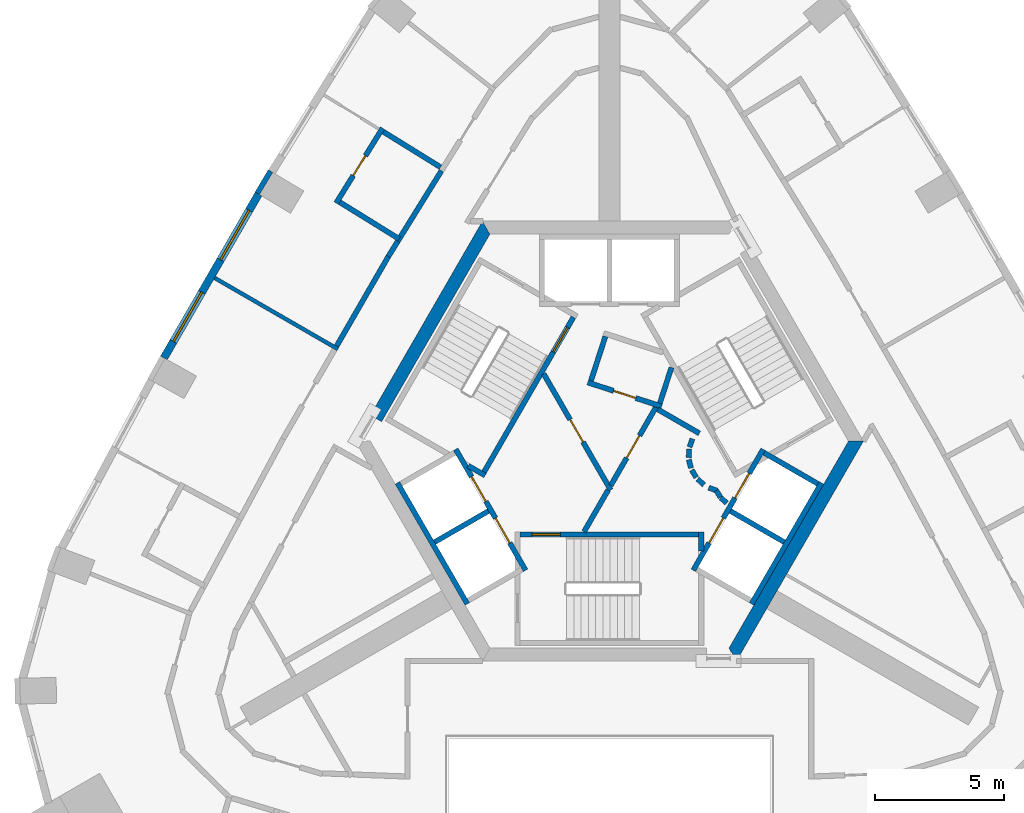
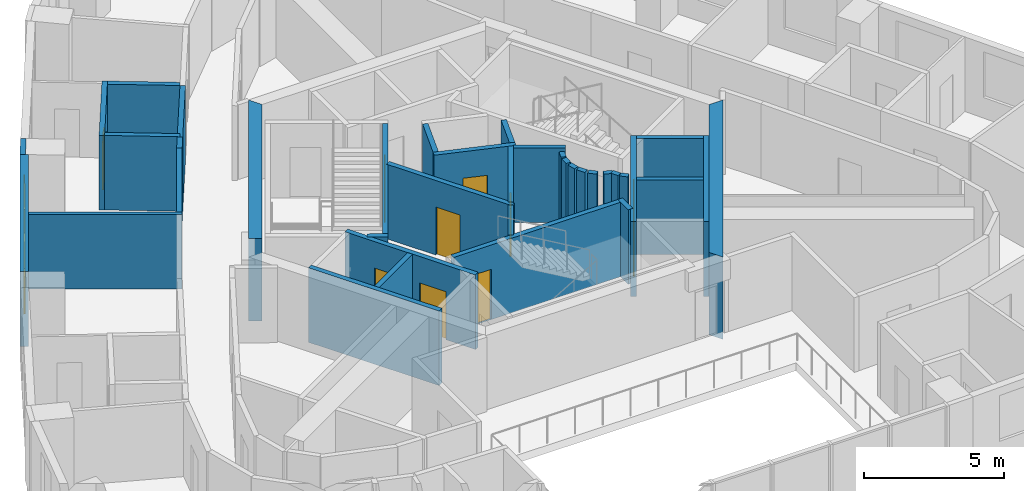
# One storey, part 5 of 10: 37 walls, 10 doors, 2 windows, 12 openings.
"""IFC4 building model written with IfcOpenShell, lengths in metres."""

from ifc_helpers import new_model, si_unit, direction, frame, frame_2d, origin, place, context, subcontext, project, spatial, polyline, rectangle, outline, extrude, material, layer, layer_set, type_object, element, fill, save


model = new_model("IFC4")

# Units and contexts
model_context = context("Model", 3, precision=1e-05, world=origin(), true_north=direction((0.0, 1.0)))
body_context = subcontext(model_context, "Body", "Model", "MODEL_VIEW")
ifc_project = project(units=[si_unit("LENGTHUNIT", "METRE"), si_unit("AREAUNIT", "SQUARE_METRE"), si_unit("VOLUMEUNIT", "CUBIC_METRE"), si_unit("PLANEANGLEUNIT", "RADIAN"), si_unit("MASSUNIT", "GRAM", prefix="KILO")], contexts=[model_context])

# Site, building, storey
site_placement = place(None, origin())
site = spatial("IfcSite", under=ifc_project, at=site_placement, CompositionType="ELEMENT")
building_placement = place(site_placement, origin())
building = spatial("IfcBuilding", under=site, at=building_placement, Name="Entoto Arch Interchange Tower", CompositionType="ELEMENT")
storey_placement = place(building_placement, frame((0.0, 0.0, 300.800048828125)))
storey = spatial("IfcBuildingStorey", under=building, at=storey_placement, Name="L70", CompositionType="ELEMENT", Elevation=300.800048828125)

# Walls
ifc_material_1 = material(Name="Concrete C40/50", Category="concrete")
ifc_layer_1 = layer(ifc_material_1, 0.5)
ifc_layer_set_1 = layer_set([ifc_layer_1], Name="Concrete C40/50")
wall_type_1 = type_object("IfcWallType", Name="Core wall 500 C40/50", PredefinedType="SHEAR", material=ifc_layer_set_1)
wall_1_placement = place(storey_placement, frame((0.0, 0.0, -0.340087890625)))
element("IfcWall", 1, at=wall_1_placement, inside=storey, type_object=wall_type_1, Name="Core wall NW L70", PredefinedType="SHEAR", context=body_context, shape_type="SweptSolid", body=[
    extrude(outline(polyline([(-9.236083984375, 3.501953125), (-8.802978515625, 3.2529296875), (-4.618896484375, 10.5), (-4.906982421875, 11.0), (-9.236083984375, 3.501953125)])), origin(), (0.0, 0.0, 1.0), 3.60009765625),
])
wall_2_placement = place(storey_placement, frame((0.0, 0.0, -0.340087890625)))
element("IfcWall", 2, at=wall_2_placement, inside=storey, type_object=wall_type_1, Name="Core wall SE L70", PredefinedType="SHEAR", context=body_context, shape_type="SweptSolid", body=[
    extrude(outline(polyline([(4.906982421875, -6.0), (9.81494140625, 2.5), (9.238037109375, 2.5), (4.618896484375, -5.5), (4.906982421875, -6.0)])), origin(), (0.0, 0.0, 1.0), 3.60009765625),
])

# Wall, openings, doors
ifc_layer_2 = layer(ifc_material_1, 0.199951171875)
ifc_layer_set_2 = layer_set([ifc_layer_2], Name="Concrete C40/50")
wall_type_2 = type_object("IfcWallType", Name="LIFT SHAFT WALL 200", PredefinedType="STANDARD", material=ifc_layer_set_2)
wall_3_placement = place(storey_placement, frame((-5.93994140625, 2.18798828125, 0.0), z_axis=(0.0, 0.0, 1.0), x_axis=(0.500034260056, -0.866005622828, 0.0)))
wall_3 = element("IfcWall", 3, at=wall_3_placement, inside=storey, type_object=wall_type_2, Name="Shaft wall SW1 front", PredefinedType="STANDARD", context=body_context, shape_type="SweptSolid", body=[
    extrude(rectangle(XDim=5.3994140625, YDim=0.199951171875, at=frame_2d((2.69970703125, 0.0))), origin(), (0.0, 0.0, 1.0), 3.260009765625),
])
opening_1_placement = place(wall_3_placement, frame((3.074951171875, 0.0, 0.0)))
opening_1 = element("IfcOpeningElement", 4, at=opening_1_placement, cuts=wall_3, Name="Opening LD-HR4-L70", PredefinedType="OPENING", context=body_context, shape_type="SweptSolid", body=[
    extrude(rectangle(XDim=1.10009765625, YDim=2.10009765625, at=frame_2d((0.550048828125, 1.050048828125))), frame((0.0, 0.10986328125, 0.0), z_axis=(0.0, -1.0, 0.0), x_axis=(1.0, 0.0, 0.0)), (0.0, 0.0, 1.0), 0.219970703125),
])
opening_2_placement = place(wall_3_placement, frame((1.22509765625, 0.0, 0.0)))
opening_2 = element("IfcOpeningElement", 5, at=opening_2_placement, cuts=wall_3, Name="Opening LD-FF2-L70", PredefinedType="OPENING", context=body_context, shape_type="SweptSolid", body=[
    extrude(rectangle(XDim=1.10009765625, YDim=2.10009765625, at=frame_2d((0.550048828125, 1.050048828125))), frame((0.0, 0.10986328125, 0.0), z_axis=(0.0, -1.0, 0.0), x_axis=(1.0, 0.0, 0.0)), (0.0, 0.0, 1.0), 0.219970703125),
])
ifc_material_2 = material(Name="Stainless steel 1.4301 panels", Category="steel")
door_type_1 = type_object("IfcDoorType", Name="LIFT LANDING DOOR LD1 1100x2100", OperationType="SLIDING_TO_LEFT", PredefinedType="DOOR", material=ifc_material_2)
door_1_placement = place(opening_1_placement, origin())
door_1 = element("IfcDoor", 6, at=door_1_placement, inside=storey, type_object=door_type_1, Name="Lift landing door HR4 L70", OperationType="SLIDING_TO_LEFT", OverallHeight=2.10009765625, OverallWidth=1.10009765625, PredefinedType="DOOR", context=body_context, shape_type="SweptSolid", body=[
    extrude(rectangle(XDim=1.10009765625, YDim=2.10009765625, at=frame_2d((0.550048828125, 1.050048828125))), frame((0.0, 0.02490234375, 0.0), z_axis=(0.0, -1.0, 0.0), x_axis=(1.0, 0.0, 0.0)), (0.0, 0.0, 1.0), 0.050048828125),
])
fill(opening_1, door_1)
door_2_placement = place(opening_2_placement, origin())
door_2 = element("IfcDoor", 7, at=door_2_placement, inside=storey, type_object=door_type_1, Name="Lift landing door FF2 L70", OperationType="SLIDING_TO_LEFT", OverallHeight=2.10009765625, OverallWidth=1.10009765625, PredefinedType="DOOR", context=body_context, shape_type="SweptSolid", body=[
    extrude(rectangle(XDim=1.10009765625, YDim=2.10009765625, at=frame_2d((0.550048828125, 1.050048828125))), frame((0.0, 0.02490234375, 0.0), z_axis=(0.0, -1.0, 0.0), x_axis=(1.0, 0.0, 0.0)), (0.0, 0.0, 1.0), 0.050048828125),
])
fill(opening_2, door_2)

# Walls
wall_4_placement = place(storey_placement, frame((-8.19189453125, 0.887939453125, 0.0), z_axis=(0.0, 0.0, 1.0), x_axis=(0.500034260056, -0.866005622828, 0.0)))
element("IfcWall", 8, at=wall_4_placement, inside=storey, type_object=wall_type_2, Name="Shaft wall SW1 back", PredefinedType="STANDARD", context=body_context, shape_type="SweptSolid", body=[
    extrude(rectangle(XDim=5.3994140625, YDim=0.199951171875, at=frame_2d((2.69970703125, 0.0))), origin(), (0.0, 0.0, 1.0), 3.260009765625),
])
wall_5_placement = place(storey_placement, frame((-4.677001953125, -0.199951171875, 0.0), z_axis=(0.0, 0.0, 1.0), x_axis=(-0.865973769406, -0.500089422704, 0.0)))
element("IfcWall", 9, at=wall_5_placement, inside=storey, type_object=wall_type_2, Name="Shaft wall SW1 cross 2", PredefinedType="STANDARD", context=body_context, shape_type="SweptSolid", body=[
    extrude(rectangle(XDim=2.3994140625, YDim=0.199951171875, at=frame_2d((1.19970703125, 0.0))), origin(), (0.0, 0.0, 1.0), 3.260009765625),
])

# Wall, openings, doors
wall_6_placement = place(storey_placement, frame((3.239990234375, -2.488037109375, 0.0), z_axis=(0.0, 0.0, 1.0), x_axis=(0.500034260056, 0.866005622828, 0.0)))
wall_6 = element("IfcWall", 10, at=wall_6_placement, inside=storey, type_object=wall_type_2, Name="Shaft wall SE1 front", PredefinedType="STANDARD", context=body_context, shape_type="SweptSolid", body=[
    extrude(rectangle(XDim=5.3994140625, YDim=0.199951171875, at=frame_2d((2.69970703125, 0.0))), origin(), (0.0, 0.0, 1.0), 3.260009765625),
])
opening_3_placement = place(wall_6_placement, frame((3.22509765625, 0.0, 0.0)))
opening_3 = element("IfcOpeningElement", 11, at=opening_3_placement, cuts=wall_6, Name="Opening LD-HR3-L70", PredefinedType="OPENING", context=body_context, shape_type="SweptSolid", body=[
    extrude(rectangle(XDim=1.10009765625, YDim=2.10009765625, at=frame_2d((0.550048828125, 1.050048828125))), frame((0.0, 0.10986328125, 0.0), z_axis=(0.0, -1.0, 0.0), x_axis=(1.0, 0.0, 0.0)), (0.0, 0.0, 1.0), 0.219970703125),
])
opening_4_placement = place(wall_6_placement, frame((1.22509765625, 0.0, 0.0)))
opening_4 = element("IfcOpeningElement", 12, at=opening_4_placement, cuts=wall_6, Name="Opening LD-FF1-L70", PredefinedType="OPENING", context=body_context, shape_type="SweptSolid", body=[
    extrude(rectangle(XDim=1.10009765625, YDim=2.10009765625, at=frame_2d((0.550048828125, 1.050048828125))), frame((0.0, 0.10986328125, 0.0), z_axis=(0.0, -1.0, 0.0), x_axis=(1.0, 0.0, 0.0)), (0.0, 0.0, 1.0), 0.219970703125),
])
door_3_placement = place(opening_3_placement, origin())
door_3 = element("IfcDoor", 13, at=door_3_placement, inside=storey, type_object=door_type_1, Name="Lift landing door HR3 L70", OperationType="SLIDING_TO_LEFT", OverallHeight=2.10009765625, OverallWidth=1.10009765625, PredefinedType="DOOR", context=body_context, shape_type="SweptSolid", body=[
    extrude(rectangle(XDim=1.10009765625, YDim=2.10009765625, at=frame_2d((0.550048828125, 1.050048828125))), frame((0.0, 0.02490234375, 0.0), z_axis=(0.0, -1.0, 0.0), x_axis=(1.0, 0.0, 0.0)), (0.0, 0.0, 1.0), 0.050048828125),
])
fill(opening_3, door_3)
door_4_placement = place(opening_4_placement, origin())
door_4 = element("IfcDoor", 14, at=door_4_placement, inside=storey, type_object=door_type_1, Name="Lift landing door FF1 L70", OperationType="SLIDING_TO_LEFT", OverallHeight=2.10009765625, OverallWidth=1.10009765625, PredefinedType="DOOR", context=body_context, shape_type="SweptSolid", body=[
    extrude(rectangle(XDim=1.10009765625, YDim=2.10009765625, at=frame_2d((0.550048828125, 1.050048828125))), frame((0.0, 0.02490234375, 0.0), z_axis=(0.0, -1.0, 0.0), x_axis=(1.0, 0.0, 0.0)), (0.0, 0.0, 1.0), 0.050048828125),
])
fill(opening_4, door_4)

# Walls
wall_7_placement = place(storey_placement, frame((5.491943359375, -3.7880859375, 0.0), z_axis=(0.0, 0.0, 1.0), x_axis=(0.500034260056, 0.866005622828, 0.0)))
element("IfcWall", 15, at=wall_7_placement, inside=storey, type_object=wall_type_2, Name="Shaft wall SE1 back", PredefinedType="STANDARD", context=body_context, shape_type="SweptSolid", body=[
    extrude(rectangle(XDim=5.3994140625, YDim=0.199951171875, at=frame_2d((2.69970703125, 0.0))), origin(), (0.0, 0.0, 1.0), 3.260009765625),
])
for number, where, z_axis, x_axis, name in (
    (16, (4.677001953125, -0.199951171875, 0.0), (0.0, 0.0, 1.0), (0.865973769406, -0.500089422704, 0.0), "Shaft wall SE1 cross 2"),
    (17, (5.97705078125, 2.052001953125, 0.0), (0.0, 0.0, 1.0), (0.865973769406, -0.500089422704, 0.0), "Shaft wall SE1 cross 3"),
):
    element("IfcWall", number, at=place(storey_placement, frame(where, z_axis=z_axis, x_axis=x_axis)), inside=storey, type_object=wall_type_2, Name=name, PredefinedType="STANDARD", context=body_context, shape_type="SweptSolid", body=[
        extrude(rectangle(XDim=2.3994140625, YDim=0.199951171875, at=frame_2d((1.19970703125, 0.0))), origin(), (0.0, 0.0, 1.0), 3.260009765625),
    ])
ifc_material_3 = material(Name="Gypsum board partition on steel studs", Category="steel")
ifc_layer_3 = layer(ifc_material_3, 0.14990234375)
ifc_layer_set_3 = layer_set([ifc_layer_3], Name="Gypsum board partition on steel studs")
wall_type_3 = type_object("IfcWallType", Name="PARTITION 150", PredefinedType="PARTITIONING", material=ifc_layer_set_3)
wall_8_placement = place(storey_placement, frame((-10.493896484375, 6.05908203125, 0.0), z_axis=(0.0, 0.0, 1.0), x_axis=(-0.866027397988, 0.499996545922, 0.0)))
element("IfcWall", 18, at=wall_8_placement, inside=storey, type_object=wall_type_3, Name="wall:L70:p119", PredefinedType="PARTITIONING", context=body_context, shape_type="SweptSolid", body=[
    extrude(rectangle(XDim=5.5, YDim=0.14990234375, at=frame_2d((2.75, 0.0))), origin(), (0.0, 0.0, 1.0), 3.260009765625),
])
ifc_layer_4 = layer(ifc_material_3, 0.199951171875)
ifc_layer_set_4 = layer_set([ifc_layer_4], Name="Gypsum board partition on steel studs")
wall_type_4 = type_object("IfcWallType", Name="PARTITION 200", PredefinedType="PARTITIONING", material=ifc_layer_set_4)
wall_9_placement = place(storey_placement, frame((-0.156982421875, 6.547119140625, 0.0), z_axis=(0.0, 0.0, 1.0), x_axis=(-0.308813127339, -0.951122732555, 0.0)))
element("IfcWall", 19, at=wall_9_placement, inside=storey, type_object=wall_type_4, Name="wall:L70:p002", PredefinedType="PARTITIONING", context=body_context, shape_type="SweptSolid", body=[
    extrude(rectangle(XDim=1.800048828125, YDim=0.199951171875, at=frame_2d((0.89990234375, 0.0))), origin(), (0.0, 0.0, 1.0), 3.260009765625),
])

# Wall, opening, door
wall_10_placement = place(storey_placement, frame((-0.839111328125, 4.77099609375, 0.0), z_axis=(0.0, 0.0, 1.0), x_axis=(0.950961084355, -0.309310549515, 0.0)))
wall_10 = element("IfcWall", 20, at=wall_10_placement, inside=storey, type_object=wall_type_4, Name="wall:L70:p003", PredefinedType="PARTITIONING", context=body_context, shape_type="SweptSolid", body=[
    extrude(rectangle(XDim=3.000244140625, YDim=0.199951171875, at=frame_2d((1.5, 0.0))), origin(), (0.0, 0.0, 1.0), 3.260009765625),
])
opening_5_placement = place(wall_10_placement, frame((1.050048828125, 0.0, 0.0)))
opening_5 = element("IfcOpeningElement", 21, at=opening_5_placement, cuts=wall_10, Name="Opening L70-D34", PredefinedType="OPENING", context=body_context, shape_type="SweptSolid", body=[
    extrude(rectangle(XDim=0.89990234375, YDim=2.10009765625, at=frame_2d((0.449951171875, 1.050048828125))), frame((0.0, 0.10986328125, 0.0), z_axis=(0.0, -1.0, 0.0), x_axis=(1.0, 0.0, 0.0)), (0.0, 0.0, 1.0), 0.219970703125),
])
ifc_material_4 = material(Name="Timber door leaf in Steel S235 frame", Category="steel")
door_type_2 = type_object("IfcDoorType", Name="DOOR DS-09 900x2100", OperationType="SINGLE_SWING_LEFT", PredefinedType="DOOR", material=ifc_material_4)
door_5_placement = place(opening_5_placement, origin())
door_5 = element("IfcDoor", 22, at=door_5_placement, inside=storey, type_object=door_type_2, Name="door:L70:34", OperationType="SINGLE_SWING_LEFT", OverallHeight=2.10009765625, OverallWidth=0.89990234375, PredefinedType="DOOR", context=body_context, shape_type="SweptSolid", body=[
    extrude(rectangle(XDim=0.89990234375, YDim=2.10009765625, at=frame_2d((0.449951171875, 1.050048828125))), frame((0.0, 0.02490234375, 0.0), z_axis=(0.0, -1.0, 0.0), x_axis=(1.0, 0.0, 0.0)), (0.0, 0.0, 1.0), 0.050048828125),
])
fill(opening_5, door_5)

# Walls
wall_11_placement = place(storey_placement, frame((1.949951171875, 3.969970703125, 0.0), z_axis=(0.0, 0.0, 1.0), x_axis=(0.308583003896, 0.951197418892, 0.0)))
element("IfcWall", 23, at=wall_11_placement, inside=storey, type_object=wall_type_4, Name="wall:L70:p004", PredefinedType="PARTITIONING", context=body_context, shape_type="SweptSolid", body=[
    extrude(rectangle(XDim=1.44873046875, YDim=0.199951171875, at=frame_2d((0.724365234375, 0.0))), origin(), (0.0, 0.0, 1.0), 3.260009765625),
])
wall_12_placement = place(storey_placement, frame((-10.54296875, 6.174072265625, 0.0), z_axis=(0.0, 0.0, 1.0), x_axis=(0.50008212199, 0.86597798544, 0.0)))
element("IfcWall", 24, at=wall_12_placement, inside=storey, type_object=wall_type_4, Name="wall:L70:p049", PredefinedType="PARTITIONING", context=body_context, shape_type="SweptSolid", body=[
    extrude(rectangle(XDim=3.995361328125, YDim=0.199951171875, at=frame_2d((1.99755859375, 0.0))), origin(), (0.0, 0.0, 1.0), 3.260009765625),
])
wall_13_placement = place(storey_placement, frame((-8.544921875, 9.634033203125, 0.0), z_axis=(0.0, 0.0, 1.0), x_axis=(0.52594604986, 0.85051793199, 0.0)))
element("IfcWall", 25, at=wall_13_placement, inside=storey, type_object=wall_type_4, Name="wall:L70:p050", PredefinedType="PARTITIONING", context=body_context, shape_type="SweptSolid", body=[
    extrude(rectangle(XDim=0.699462890625, YDim=0.199951171875, at=frame_2d((0.349609375, 0.0))), origin(), (0.0, 0.0, 1.0), 3.260009765625),
])
wall_14_placement = place(storey_placement, frame((-8.177001953125, 10.22900390625, 0.0), z_axis=(0.0, 0.0, 1.0), x_axis=(0.526504295939, 0.850172468595, 0.0)))
element("IfcWall", 26, at=wall_14_placement, inside=storey, type_object=wall_type_4, Name="wall:L70:p051", PredefinedType="PARTITIONING", context=body_context, shape_type="SweptSolid", body=[
    extrude(rectangle(XDim=3.200439453125, YDim=0.199951171875, at=frame_2d((1.60009765625, 0.0))), origin(), (0.0, 0.0, 1.0), 3.260009765625),
])
wall_15_placement = place(storey_placement, frame((-0.98193359375, -1.0, 0.0), z_axis=(0.0, 0.0, 1.0), x_axis=(0.50024047865, 0.865886518847, 0.0)))
element("IfcWall", 27, at=wall_15_placement, inside=storey, type_object=wall_type_4, Name="wall:L70:p063", PredefinedType="PARTITIONING", context=body_context, shape_type="SweptSolid", body=[
    extrude(rectangle(XDim=1.86279296875, YDim=0.199951171875, at=frame_2d((0.931396484375, 0.0))), origin(), (0.0, 0.0, 1.0), 3.260009765625),
])

# Wall, opening, door
wall_16_placement = place(storey_placement, frame((0.050048828125, 0.787109375, 0.0), z_axis=(0.0, 0.0, 1.0), x_axis=(0.499954076797, 0.866051915934, 0.0)))
wall_16 = element("IfcWall", 28, at=wall_16_placement, inside=storey, type_object=wall_type_4, Name="wall:L70:p064", PredefinedType="PARTITIONING", context=body_context, shape_type="SweptSolid", body=[
    extrude(rectangle(XDim=3.558349609375, YDim=0.199951171875, at=frame_2d((1.779296875, 0.0))), origin(), (0.0, 0.0, 1.0), 3.260009765625),
])
opening_6_placement = place(wall_16_placement, frame((1.22900390625, 0.0, 0.0)))
opening_6 = element("IfcOpeningElement", 29, at=opening_6_placement, cuts=wall_16, Name="Opening L70-D32", PredefinedType="OPENING", context=body_context, shape_type="SweptSolid", body=[
    extrude(rectangle(XDim=1.0, YDim=2.10009765625, at=frame_2d((0.5, 1.050048828125))), frame((0.0, 0.10986328125, 0.0), z_axis=(0.0, -1.0, 0.0), x_axis=(1.0, 0.0, 0.0)), (0.0, 0.0, 1.0), 0.219970703125),
])
ifc_material_5 = material(Name="Fire-rated Steel S235 door and frame", Category="steel")
door_type_3 = type_object("IfcDoorType", Name="DOOR FD-10 1000x2100", OperationType="SINGLE_SWING_LEFT", PredefinedType="DOOR", material=ifc_material_5)
door_6_placement = place(opening_6_placement, origin())
door_6 = element("IfcDoor", 30, at=door_6_placement, inside=storey, type_object=door_type_3, Name="door:L70:32", OperationType="SINGLE_SWING_RIGHT", OverallHeight=2.10009765625, OverallWidth=1.0, PredefinedType="DOOR", context=body_context, shape_type="SweptSolid", body=[
    extrude(rectangle(XDim=1.0, YDim=2.10009765625, at=frame_2d((0.5, 1.050048828125))), frame((0.0, 0.02490234375, 0.0), z_axis=(0.0, -1.0, 0.0), x_axis=(1.0, 0.0, 0.0)), (0.0, 0.0, 1.0), 0.050048828125),
])
fill(opening_6, door_6)

# Walls
wall_17_placement = place(storey_placement, frame((1.865966796875, 3.73193359375, 0.0), z_axis=(0.0, 0.0, 1.0), x_axis=(0.866043361281, -0.499968895414, 0.0)))
element("IfcWall", 31, at=wall_17_placement, inside=storey, type_object=wall_type_4, Name="wall:L70:p065", PredefinedType="PARTITIONING", context=body_context, shape_type="SweptSolid", body=[
    extrude(rectangle(XDim=1.85791015625, YDim=0.199951171875, at=frame_2d((0.928955078125, 0.0))), origin(), (0.0, 0.0, 1.0), 3.260009765625),
])
wall_18_placement = place(storey_placement, frame((3.2080078125, 2.592041015625, 0.0), z_axis=(0.0, 0.0, 1.0), x_axis=(-0.337388820924, -0.941365382578, 0.0)))
element("IfcWall", 32, at=wall_18_placement, inside=storey, type_object=wall_type_4, Name="wall:L70:p066", PredefinedType="PARTITIONING", context=body_context, shape_type="SweptSolid", body=[
    extrude(rectangle(XDim=0.337890625, YDim=0.199951171875, at=frame_2d((0.1689453125, 0.0))), origin(), (0.0, 0.0, 1.0), 3.260009765625),
])
wall_19_placement = place(storey_placement, frame((3.0791015625, 2.198974609375, 0.0), z_axis=(0.0, 0.0, 1.0), x_axis=(-0.047771483479, -0.998858290933, 0.0)))
element("IfcWall", 33, at=wall_19_placement, inside=storey, type_object=wall_type_4, Name="wall:L70:p067", PredefinedType="PARTITIONING", context=body_context, shape_type="SweptSolid", body=[
    extrude(rectangle(XDim=0.33740234375, YDim=0.199951171875, at=frame_2d((0.168701171875, 0.0))), origin(), (0.0, 0.0, 1.0), 3.260009765625),
])
wall_20_placement = place(storey_placement, frame((3.070068359375, 1.785888671875, 0.0), z_axis=(0.0, 0.0, 1.0), x_axis=(0.242705583207, -0.970099994784, 0.0)))
element("IfcWall", 34, at=wall_20_placement, inside=storey, type_object=wall_type_4, Name="wall:L70:p068", PredefinedType="PARTITIONING", context=body_context, shape_type="SweptSolid", body=[
    extrude(rectangle(XDim=0.337890625, YDim=0.199951171875, at=frame_2d((0.1689453125, 0.0))), origin(), (0.0, 0.0, 1.0), 3.260009765625),
])
for number, where, z_axis, x_axis, name in (
    (35, (3.181884765625, 1.387939453125, 0.0), (0.0, 0.0, 1.0), (0.512474702713, -0.85870232274, 0.0), "wall:L70:p069"),
    (36, (3.404052734375, 1.0390625, 0.0), (0.0, 0.0, 1.0), (0.740267097712, -0.672312891476, 0.0), "wall:L70:p070"),
):
    element("IfcWall", number, at=place(storey_placement, frame(where, z_axis=z_axis, x_axis=x_axis)), inside=storey, type_object=wall_type_4, Name=name, PredefinedType="PARTITIONING", context=body_context, shape_type="SweptSolid", body=[
        extrude(rectangle(XDim=0.337646484375, YDim=0.199951171875, at=frame_2d((0.1689453125, 0.0))), origin(), (0.0, 0.0, 1.0), 3.260009765625),
    ])
wall_21_placement = place(storey_placement, frame((3.837890625, 0.701904296875, 0.0), z_axis=(0.0, 0.0, 1.0), x_axis=(0.941035081519, -0.338308993895, 0.0)))
element("IfcWall", 37, at=wall_21_placement, inside=storey, type_object=wall_type_4, Name="wall:L70:p071", PredefinedType="PARTITIONING", context=body_context, shape_type="SweptSolid", body=[
    extrude(rectangle(XDim=0.3369140625, YDim=0.199951171875, at=frame_2d((0.16845703125, 0.0))), origin(), (0.0, 0.0, 1.0), 3.260009765625),
])
wall_22_placement = place(storey_placement, frame((4.132080078125, 0.593017578125, 0.0), z_axis=(0.0, 0.0, 1.0), x_axis=(0.513561617048, -0.858052717201, 0.0)))
element("IfcWall", 38, at=wall_22_placement, inside=storey, type_object=wall_type_4, Name="wall:L70:p072", PredefinedType="PARTITIONING", context=body_context, shape_type="SweptSolid", body=[
    extrude(rectangle(XDim=0.3076171875, YDim=0.199951171875, at=frame_2d((0.15380859375, 0.0))), origin(), (0.0, 0.0, 1.0), 3.260009765625),
])
wall_23_placement = place(storey_placement, frame((4.301025390625, 0.31494140625, 0.0), z_axis=(0.0, 0.0, 1.0), x_axis=(0.741798017506, -0.670623367639, 0.0)))
element("IfcWall", 39, at=wall_23_placement, inside=storey, type_object=wall_type_4, Name="wall:L70:p073", PredefinedType="PARTITIONING", context=body_context, shape_type="SweptSolid", body=[
    extrude(rectangle(XDim=0.30859375, YDim=0.199951171875, at=frame_2d((0.154296875, 0.0))), origin(), (0.0, 0.0, 1.0), 3.260009765625),
])

# Wall, opening, door
wall_24_placement = place(storey_placement, frame((-2.5400390625, 5.10009765625, 0.0), z_axis=(0.0, 0.0, 1.0), x_axis=(0.499925051871, -0.866068670783, 0.0)))
wall_24 = element("IfcWall", 40, at=wall_24_placement, inside=storey, type_object=wall_type_4, Name="wall:L70:p074", PredefinedType="PARTITIONING", context=body_context, shape_type="SweptSolid", body=[
    extrude(rectangle(XDim=5.180908203125, YDim=0.199951171875, at=frame_2d((2.59033203125, 0.0))), origin(), (0.0, 0.0, 1.0), 3.260009765625),
])
opening_7_placement = place(wall_24_placement, frame((2.0400390625, 0.0, 0.0)))
opening_7 = element("IfcOpeningElement", 41, at=opening_7_placement, cuts=wall_24, Name="Opening L70-D33", PredefinedType="OPENING", context=body_context, shape_type="SweptSolid", body=[
    extrude(rectangle(XDim=1.0, YDim=2.10009765625, at=frame_2d((0.5, 1.050048828125))), frame((0.0, 0.10986328125, 0.0), z_axis=(0.0, -1.0, 0.0), x_axis=(1.0, 0.0, 0.0)), (0.0, 0.0, 1.0), 0.219970703125),
])
door_7_placement = place(opening_7_placement, origin())
door_7 = element("IfcDoor", 42, at=door_7_placement, inside=storey, type_object=door_type_3, Name="door:L70:33", OperationType="SINGLE_SWING_RIGHT", OverallHeight=2.10009765625, OverallWidth=1.0, PredefinedType="DOOR", context=body_context, shape_type="SweptSolid", body=[
    extrude(rectangle(XDim=1.0, YDim=2.10009765625, at=frame_2d((0.5, 1.050048828125))), frame((0.0, 0.02490234375, 0.0), z_axis=(0.0, -1.0, 0.0), x_axis=(1.0, 0.0, 0.0)), (0.0, 0.0, 1.0), 0.050048828125),
])
fill(opening_7, door_7)

# Wall
wall_25_placement = place(storey_placement, frame((-6.52490234375, 13.087890625, 0.0), z_axis=(0.0, 0.0, 1.0), x_axis=(-0.850379182329, 0.526170358592, 0.0)))
element("IfcWall", 43, at=wall_25_placement, inside=storey, type_object=wall_type_4, Name="wall:L70:p116", PredefinedType="PARTITIONING", context=body_context, shape_type="SweptSolid", body=[
    extrude(rectangle(XDim=2.600341796875, YDim=0.199951171875, at=frame_2d((1.30029296875, 0.0))), origin(), (0.0, 0.0, 1.0), 3.260009765625),
])

# Wall, opening, door
wall_26_placement = place(storey_placement, frame((-8.76806640625, 14.593994140625, 0.0), z_axis=(0.0, 0.0, 1.0), x_axis=(-0.526418877713, -0.850225361412, 0.0)))
wall_26 = element("IfcWall", 44, at=wall_26_placement, inside=storey, type_object=wall_type_4, Name="wall:L70:p117", PredefinedType="PARTITIONING", context=body_context, shape_type="SweptSolid", body=[
    extrude(rectangle(XDim=3.400390625, YDim=0.199951171875, at=frame_2d((1.7001953125, 0.0))), origin(), (0.0, 0.0, 1.0), 3.260009765625),
])
opening_8_placement = place(wall_26_placement, frame((1.25, 0.0, 0.0)))
opening_8 = element("IfcOpeningElement", 45, at=opening_8_placement, cuts=wall_26, Name="Opening L70-D17", PredefinedType="OPENING", context=body_context, shape_type="SweptSolid", body=[
    extrude(rectangle(XDim=0.89990234375, YDim=2.10009765625, at=frame_2d((0.449951171875, 1.050048828125))), frame((0.0, 0.10986328125, 0.0), z_axis=(0.0, -1.0, 0.0), x_axis=(1.0, 0.0, 0.0)), (0.0, 0.0, 1.0), 0.219970703125),
])
door_8_placement = place(opening_8_placement, origin())
door_8 = element("IfcDoor", 46, at=door_8_placement, inside=storey, type_object=door_type_2, Name="door:L70:17", OperationType="SINGLE_SWING_LEFT", OverallHeight=2.10009765625, OverallWidth=0.89990234375, PredefinedType="DOOR", context=body_context, shape_type="SweptSolid", body=[
    extrude(rectangle(XDim=0.89990234375, YDim=2.10009765625, at=frame_2d((0.449951171875, 1.050048828125))), frame((0.0, 0.02490234375, 0.0), z_axis=(0.0, -1.0, 0.0), x_axis=(1.0, 0.0, 0.0)), (0.0, 0.0, 1.0), 0.050048828125),
])
fill(opening_8, door_8)

# Walls
wall_27_placement = place(storey_placement, frame((-10.419921875, 11.736083984375, 0.0), z_axis=(0.0, 0.0, 1.0), x_axis=(0.850124477172, -0.52658178217, 0.0)))
element("IfcWall", 47, at=wall_27_placement, inside=storey, type_object=wall_type_4, Name="wall:L70:p118", PredefinedType="PARTITIONING", context=body_context, shape_type="SweptSolid", body=[
    extrude(rectangle(XDim=2.70068359375, YDim=0.199951171875, at=frame_2d((1.350341796875, 0.0))), origin(), (0.0, 0.0, 1.0), 3.260009765625),
])
ifc_layer_5 = layer(ifc_material_1, 0.199951171875)
ifc_layer_set_5 = layer_set([ifc_layer_5], Name="Concrete C40/50")
wall_type_5 = type_object("IfcWallType", Name="STAIR ENCLOSURE WALL 200", PredefinedType="STANDARD", material=ifc_layer_set_5)
wall_28_placement = place(storey_placement, frame((3.550048828125, -1.0, 0.0), z_axis=(0.0, 0.0, 1.0), x_axis=(0.0, -1.0, 0.0)))
element("IfcWall", 48, at=wall_28_placement, inside=storey, type_object=wall_type_5, Name="Stair wall ST-S far return", PredefinedType="STANDARD", context=body_context, shape_type="SweptSolid", body=[
    extrude(rectangle(XDim=0.7509765625, YDim=0.199951171875, at=frame_2d((0.37548828125, 0.0))), origin(), (0.0, 0.0, 1.0), 3.260009765625),
])

# Wall, opening, door
wall_29_placement = place(storey_placement, frame((-3.449951171875, -1.10009765625, 0.0), z_axis=(0.0, 0.0, 1.0), x_axis=(1.0, 0.0, 0.0)))
wall_29 = element("IfcWall", 49, at=wall_29_placement, inside=storey, type_object=wall_type_5, Name="Stair wall ST-S hall", PredefinedType="STANDARD", context=body_context, shape_type="SweptSolid", body=[
    extrude(rectangle(XDim=6.89990234375, YDim=0.199951171875, at=frame_2d((3.449951171875, 0.0))), origin(), (0.0, 0.0, 1.0), 3.260009765625),
])
opening_9_placement = place(wall_29_placement, frame((0.449951171875, 0.0, 0.0)))
opening_9 = element("IfcOpeningElement", 50, at=opening_9_placement, cuts=wall_29, Name="Opening SD-ST-S-L70", PredefinedType="OPENING", context=body_context, shape_type="SweptSolid", body=[
    extrude(rectangle(XDim=1.10009765625, YDim=2.199951171875, at=frame_2d((0.550048828125, 1.10009765625))), frame((0.0, 0.10986328125, 0.0), z_axis=(0.0, -1.0, 0.0), x_axis=(1.0, 0.0, 0.0)), (0.0, 0.0, 1.0), 0.219970703125),
])
ifc_material_6 = material(Name="Steel S235", Category="steel")
door_type_4 = type_object("IfcDoorType", Name="STAIR DOOR SD1 1100x2200", OperationType="SINGLE_SWING_LEFT", PredefinedType="DOOR", material=ifc_material_6)
door_9_placement = place(opening_9_placement, origin())
door_9 = element("IfcDoor", 51, at=door_9_placement, inside=storey, type_object=door_type_4, Name="Stair door ST-S L70", OperationType="SINGLE_SWING_LEFT", OverallHeight=2.199951171875, OverallWidth=1.10009765625, PredefinedType="DOOR", context=body_context, shape_type="SweptSolid", body=[
    extrude(rectangle(XDim=1.10009765625, YDim=2.199951171875, at=frame_2d((0.550048828125, 1.10009765625))), frame((0.0, 0.02490234375, 0.0), z_axis=(0.0, -1.0, 0.0), x_axis=(1.0, 0.0, 0.0)), (0.0, 0.0, 1.0), 0.050048828125),
])
fill(opening_9, door_9)

# Wall
wall_30_placement = place(storey_placement, frame((-4.805908203125, 1.176025390625, 0.0), z_axis=(0.0, 0.0, 1.0), x_axis=(-0.866558586415, 0.499075361355, 0.0)))
element("IfcWall", 52, at=wall_30_placement, inside=storey, type_object=wall_type_5, Name="Stair wall ST-NW far return", PredefinedType="STANDARD", context=body_context, shape_type="SweptSolid", body=[
    extrude(rectangle(XDim=0.75146484375, YDim=0.199951171875, at=frame_2d((0.375732421875, 0.0))), origin(), (0.0, 0.0, 1.0), 3.260009765625),
])

# Wall, opening, door
wall_31_placement = place(storey_placement, frame((-1.39306640625, 7.2880859375, 0.0), z_axis=(0.0, 0.0, 1.0), x_axis=(-0.499963383562, -0.866046543262, 0.0)))
wall_31 = element("IfcWall", 53, at=wall_31_placement, inside=storey, type_object=wall_type_5, Name="Stair wall ST-NW hall", PredefinedType="STANDARD", context=body_context, shape_type="SweptSolid", body=[
    extrude(rectangle(XDim=6.900390625, YDim=0.199951171875, at=frame_2d((3.4501953125, 0.0))), origin(), (0.0, 0.0, 1.0), 3.260009765625),
])
opening_10_placement = place(wall_31_placement, frame((0.449951171875, 0.0, 0.0)))
opening_10 = element("IfcOpeningElement", 54, at=opening_10_placement, cuts=wall_31, Name="Opening SD-ST-NW-L70", PredefinedType="OPENING", context=body_context, shape_type="SweptSolid", body=[
    extrude(rectangle(XDim=1.10009765625, YDim=2.199951171875, at=frame_2d((0.550048828125, 1.10009765625))), frame((0.0, 0.10986328125, 0.0), z_axis=(0.0, -1.0, 0.0), x_axis=(1.0, 0.0, 0.0)), (0.0, 0.0, 1.0), 0.219970703125),
])
door_10_placement = place(opening_10_placement, origin())
door_10 = element("IfcDoor", 55, at=door_10_placement, inside=storey, type_object=door_type_4, Name="Stair door ST-NW L70", OperationType="SINGLE_SWING_LEFT", OverallHeight=2.199951171875, OverallWidth=1.10009765625, PredefinedType="DOOR", context=body_context, shape_type="SweptSolid", body=[
    extrude(rectangle(XDim=1.10009765625, YDim=2.199951171875, at=frame_2d((0.550048828125, 1.10009765625))), frame((0.0, 0.02490234375, 0.0), z_axis=(0.0, -1.0, 0.0), x_axis=(1.0, 0.0, 0.0)), (0.0, 0.0, 1.0), 0.050048828125),
])
fill(opening_10, door_10)

# Wall, openings, windows
ifc_material_7 = material(Name="Welded tuff (ignimbrite) cladding, warm buff", Category="masonry")
ifc_layer_6 = layer(ifc_material_7, 0.300048828125)
ifc_layer_set_6 = layer_set([ifc_layer_6], Name="Welded tuff (ignimbrite) cladding, warm buff")
wall_type_6 = type_object("IfcWallType", Name="STONE INFILL WALL 300", PredefinedType="STANDARD", material=ifc_layer_set_6)
wall_32_placement = place(storey_placement, frame((-13.55908203125, 12.051025390625, 0.0), z_axis=(0.0, 0.0, 1.0), x_axis=(-0.499905472729, -0.866079972252, 0.0)))
wall_32 = element("IfcWall", 56, at=wall_32_placement, inside=storey, type_object=wall_type_6, Name="Facade wall NW-02 L70", PredefinedType="STANDARD", context=body_context, shape_type="SweptSolid", body=[
    extrude(rectangle(XDim=7.3134765625, YDim=0.300048828125, at=frame_2d((3.65673828125, 0.0))), origin(), (0.0, 0.0, 1.0), 3.260009765625),
])
opening_11_placement = place(wall_32_placement, frame((0.72802734375, 0.0, 0.89990234375)))
opening_11 = element("IfcOpeningElement", 57, at=opening_11_placement, cuts=wall_32, Name="Opening WH-A", PredefinedType="OPENING", context=body_context, shape_type="SweptSolid", body=[
    extrude(rectangle(XDim=2.199951171875, YDim=2.0, at=frame_2d((1.10009765625, 1.0))), frame((0.0, 0.16015625, 0.0), z_axis=(0.0, -1.0, 0.0), x_axis=(1.0, 0.0, 0.0)), (0.0, 0.0, 1.0), 0.320068359375),
])
opening_12_placement = place(wall_32_placement, frame((4.385009765625, 0.0, 0.89990234375)))
opening_12 = element("IfcOpeningElement", 58, at=opening_12_placement, cuts=wall_32, Name="Opening WH-A", PredefinedType="OPENING", context=body_context, shape_type="SweptSolid", body=[
    extrude(rectangle(XDim=2.199951171875, YDim=2.0, at=frame_2d((1.10009765625, 1.0))), frame((0.0, 0.16015625, 0.0), z_axis=(0.0, -1.0, 0.0), x_axis=(1.0, 0.0, 0.0)), (0.0, 0.0, 1.0), 0.320068359375),
])
ifc_material_8 = material(Name="Clear glass, low-e double glazed", Category="glass")
window_type = type_object("IfcWindowType", Name="WINDOW WH-A 2200x2000", PartitioningType="DOUBLE_PANEL_VERTICAL", PredefinedType="WINDOW", material=ifc_material_8)
window_1_placement = place(opening_11_placement, origin())
window_1 = element("IfcWindow", 59, at=window_1_placement, inside=storey, type_object=window_type, Name="Window WH-A NW-02 L70", OverallHeight=2.0, OverallWidth=2.199951171875, PartitioningType="SINGLE_PANEL", PredefinedType="WINDOW", context=body_context, shape_type="SweptSolid", body=[
    extrude(rectangle(XDim=2.199951171875, YDim=2.0, at=frame_2d((1.10009765625, 1.0))), frame((0.0, 0.030029296875, 0.0), z_axis=(0.0, -1.0, 0.0), x_axis=(1.0, 0.0, 0.0)), (0.0, 0.0, 1.0), 0.06005859375),
])
fill(opening_11, window_1)
window_2_placement = place(opening_12_placement, origin())
window_2 = element("IfcWindow", 60, at=window_2_placement, inside=storey, type_object=window_type, Name="Window WH-A NW-02 L70", OverallHeight=2.0, OverallWidth=2.199951171875, PartitioningType="SINGLE_PANEL", PredefinedType="WINDOW", context=body_context, shape_type="SweptSolid", body=[
    extrude(rectangle(XDim=2.199951171875, YDim=2.0, at=frame_2d((1.10009765625, 1.0))), frame((0.0, 0.030029296875, 0.0), z_axis=(0.0, -1.0, 0.0), x_axis=(1.0, 0.0, 0.0)), (0.0, 0.0, 1.0), 0.06005859375),
])
fill(opening_12, window_2)

# Wall
ifc_layer_7 = layer(ifc_material_7, 0.199951171875)
ifc_layer_set_7 = layer_set([ifc_layer_7], Name="Welded tuff (ignimbrite) cladding, warm buff")
wall_type_7 = type_object("IfcWallType", Name="STONE PIER CLADDING 200", PredefinedType="STANDARD", material=ifc_layer_set_7)
wall_33_placement = place(storey_placement, frame((-13.094970703125, 12.93798828125, 0.0), z_axis=(0.0, 0.0, 1.0), x_axis=(-0.513885310016, -0.857858897576, 0.0)))
element("IfcWall", 61, at=wall_33_placement, inside=storey, type_object=wall_type_7, Name="Stone pier NW02 L70", PredefinedType="STANDARD", context=body_context, shape_type="SweptSolid", body=[
    extrude(rectangle(XDim=1.0, YDim=0.199951171875, at=frame_2d((0.5, 0.0))), origin(), (0.0, 0.0, 1.0), 3.260009765625),
])

save(model, "model.ifc")
